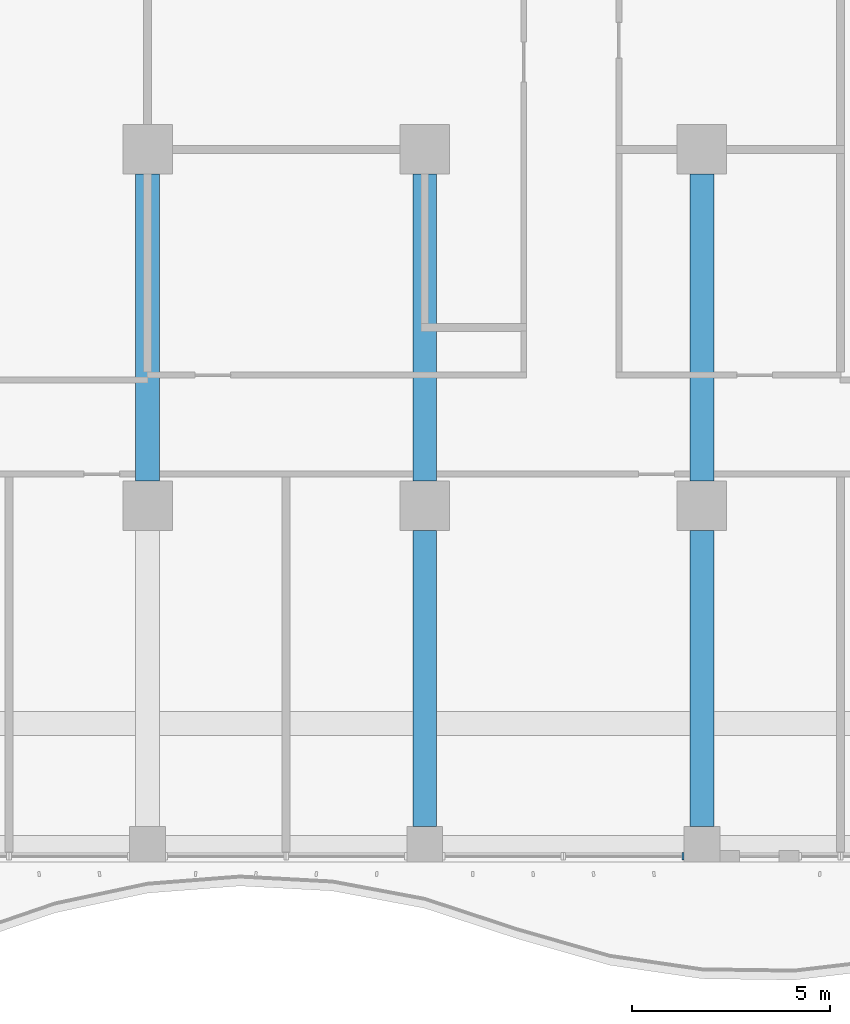
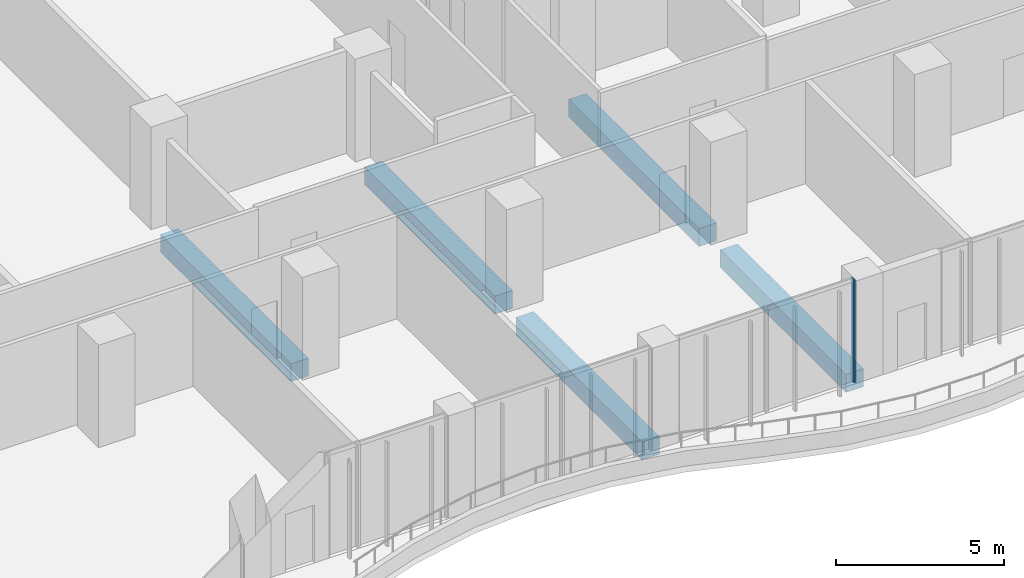
# One storey, part 4 of 29: 5 beams, 1 member, 1 element without a shape of its own.
"""IFC4 building model written with IfcOpenShell, lengths in metres."""

from ifc_helpers import new_model, si_unit, direction, frame, origin, origin_2d, place, context, subcontext, project, spatial, rectangle, extrude, source, transform, mapped, material, material_profile, profile_set, type_object, element, aggregate, save


model = new_model("IFC4")

# Units and contexts
model_context = context("Model", 3, precision=1e-05, world=origin(), true_north=direction((0.0, 1.0)))
body_context = subcontext(model_context, "Body", "Model", "MODEL_VIEW")
ifc_project = project(units=[si_unit("LENGTHUNIT", "METRE"), si_unit("AREAUNIT", "SQUARE_METRE"), si_unit("VOLUMEUNIT", "CUBIC_METRE"), si_unit("PLANEANGLEUNIT", "RADIAN"), si_unit("MASSUNIT", "GRAM", prefix="KILO")], contexts=[model_context])

# Site, building, storey
site_placement = place(None, origin())
site = spatial("IfcSite", under=ifc_project, at=site_placement, CompositionType="ELEMENT")
building_placement = place(site_placement, origin())
building = spatial("IfcBuilding", under=site, at=building_placement, Name="Kilnfold Tower and Market Hall", CompositionType="ELEMENT")
storey_placement = place(building_placement, frame((0.0, 0.0, 79.199951171875)))
storey = spatial("IfcBuildingStorey", under=building, at=storey_placement, Name="L18", CompositionType="ELEMENT", Elevation=79.199951171875)

# Beams
ifc_material_1 = material(Name="Concrete C45", Category="concrete")
ifc_material_profile_1 = material_profile(ifc_material_1, rectangle(XDim=0.60009765625, YDim=0.64990234375, at=origin_2d()), Name="RC 600x650")
ifc_profile_set_1 = profile_set([ifc_material_profile_1], Name="Concrete C45")
beam_type = type_object("IfcBeamType", Name="BEAM 600X650 C45", PredefinedType="BEAM", material=ifc_profile_set_1)
shared_shape_1 = source(origin(), body_context, "Body", "SweptSolid", [
    extrude(rectangle(XDim=0.60009765625, YDim=0.64990234375, at=origin_2d()), origin(), (0.0, 0.0, 1.0), 7.47509765625),
])
for number, where, z_axis, x_axis, name in (
    (1, (1.5, -27.10009765625, -0.60498046875), (0.0, 1.0, 0.0), (-1.0, 0.0, 0.0), "Beam BB650-B2.87"),
    (2, (8.5, -27.10009765625, -0.60498046875), (0.0, 1.0, 0.0), (-1.0, 0.0, 0.0), "Beam BB650-B2.89"),
):
    element("IfcBeam", number, at=place(storey_placement, frame(where, z_axis=z_axis, x_axis=x_axis)), inside=storey, type_object=beam_type, Name=name, PredefinedType="BEAM", context=body_context, shape_type="MappedRepresentation", body=[
        mapped(shared_shape_1, transform((0.0, 0.0, 0.0))),
    ])
shared_shape_2 = source(origin(), body_context, "Body", "SweptSolid", [
    extrude(rectangle(XDim=0.60009765625, YDim=0.64990234375, at=origin_2d()), origin(), (0.0, 0.0, 1.0), 7.75),
])
for number, where, z_axis, x_axis, name in (
    (3, (-5.5, -18.375, -0.60498046875), (0.0, 1.0, 0.0), (-1.0, 0.0, 0.0), "Beam BB650-B2.86"),
    (4, (1.5, -18.375, -0.60498046875), (0.0, 1.0, 0.0), (-1.0, 0.0, 0.0), "Beam BB650-B2.88"),
    (5, (8.5, -18.375, -0.60498046875), (0.0, 1.0, 0.0), (-1.0, 0.0, 0.0), "Beam BB650-B2.90"),
):
    element("IfcBeam", number, at=place(storey_placement, frame(where, z_axis=z_axis, x_axis=x_axis)), inside=storey, type_object=beam_type, Name=name, PredefinedType="BEAM", context=body_context, shape_type="MappedRepresentation", body=[
        mapped(shared_shape_2, transform((0.0, 0.0, 0.0))),
    ])

# Curtain wall, member
ifc_material_2 = material(Name="Aluminium and double glazing", Category="aluminium")
curtain_wall_type = type_object("IfcCurtainWallType", Name="CW OF1 VALLEY GLAZING", PredefinedType="NOTDEFINED", material=ifc_material_2)
curtain_wall_placement = place(storey_placement, origin())
curtain_wall = element("IfcCurtainWall", 6, at=curtain_wall_placement, inside=storey, type_object=curtain_wall_type, Name="Curtain wall CW1 L18 S", PredefinedType="NOTDEFINED")
ifc_material_3 = material(Name="Aluminium", Category="aluminium")
ifc_material_profile_2 = material_profile(ifc_material_3, rectangle(XDim=0.06005859375, YDim=0.179931640625, at=origin_2d()), Name="MULLION 60x180")
ifc_profile_set_2 = profile_set([ifc_material_profile_2], Name="Aluminium")
member_type = type_object("IfcMemberType", Name="MULLION 60X180", PredefinedType="MULLION", material=ifc_profile_set_2)
shared_shape_3 = source(origin(), body_context, "Body", "SweptSolid", [
    extrude(rectangle(XDim=0.06005859375, YDim=0.179931640625, at=origin_2d()), origin(), (0.0, 0.0, 1.0), 3.719970703125),
])
member_placement = place(storey_placement, frame((8.02001953125, -27.85009765625, 0.0), z_axis=(0.0, 0.0, 1.0), x_axis=(1.0, 0.0, 0.0)))
member = element("IfcMember", 7, at=member_placement, type_object=member_type, Name="CW1 mullion 2", PredefinedType="MULLION", context=body_context, shape_type="MappedRepresentation", body=[
    mapped(shared_shape_3, transform((0.0, 0.0, 0.0))),
])
aggregate(curtain_wall, [member])

save(model, "model.ifc")
